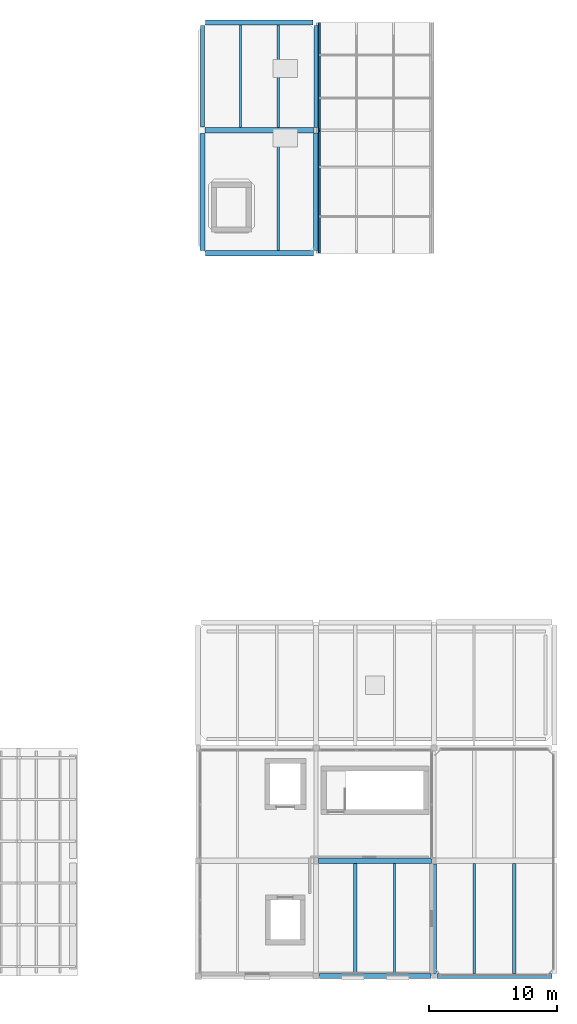
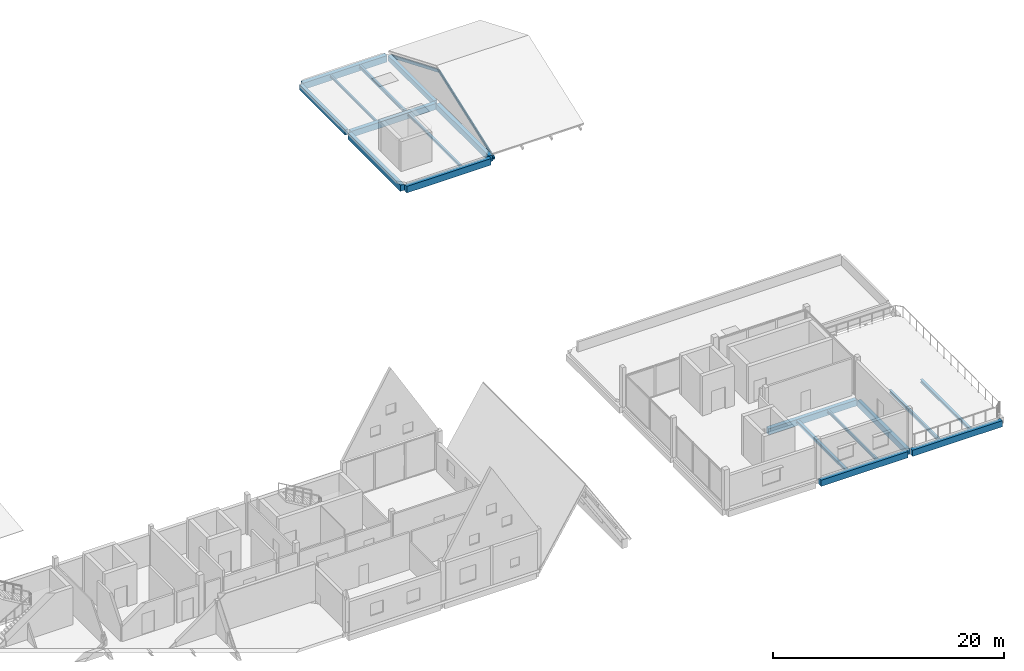
# One storey, part 9 of 23: 18 beams, 2 members.
"""IFC4 building model written with IfcOpenShell, lengths in metres."""

from ifc_helpers import new_model, si_unit, direction, frame, origin, origin_2d, place, context, subcontext, project, spatial, rectangle, i_section, extrude, material, material_profile, profile_set, type_object, element, save


model = new_model("IFC4")

# Units and contexts
model_context = context("Model", 3, precision=1e-05, world=origin(), true_north=direction((0.0, 1.0)))
body_context = subcontext(model_context, "Body", "Model", "MODEL_VIEW")
ifc_project = project(units=[si_unit("LENGTHUNIT", "METRE"), si_unit("AREAUNIT", "SQUARE_METRE"), si_unit("VOLUMEUNIT", "CUBIC_METRE"), si_unit("PLANEANGLEUNIT", "RADIAN"), si_unit("MASSUNIT", "GRAM", prefix="KILO")], contexts=[model_context])

# Site, building, storey
site_placement = place(None, origin())
site = spatial("IfcSite", under=ifc_project, at=site_placement, CompositionType="ELEMENT")
building_placement = place(site_placement, origin())
building = spatial("IfcBuilding", under=site, at=building_placement, Name="Birchvale Park Specialist Clinic", CompositionType="ELEMENT")
storey_placement = place(building_placement, frame((0.0, 0.0, 18.0)))
storey = spatial("IfcBuildingStorey", under=building, at=storey_placement, Name="L04", CompositionType="ELEMENT", Elevation=18.0)

# Beams
ifc_material_1 = material(Name="Concrete C40/50", Category="concrete")
ifc_material_profile_1 = material_profile(ifc_material_1, rectangle(XDim=0.39990234375, YDim=0.68994140625, at=origin_2d()), Name="RCB-400x690")
ifc_profile_set_1 = profile_set([ifc_material_profile_1], Name="Concrete C40/50")
beam_type_1 = type_object("IfcBeamType", Name="BM-EXT-BG4", PredefinedType="BEAM", material=ifc_profile_set_1)
beam_1_placement = place(storey_placement, frame((128.56494140625, 73.199951171875, -0.6201171875), z_axis=(1.0, 0.0, 0.0), x_axis=(0.0, 1.0, 0.0)))
element("IfcBeam", 1, at=beam_1_placement, inside=storey, type_object=beam_type_1, Name="V6 L04 X girder 1", PredefinedType="BEAM", context=body_context, shape_type="SweptSolid", body=[
    extrude(rectangle(XDim=0.39990234375, YDim=0.68994140625, at=origin_2d()), origin(), (0.0, 0.0, 1.0), 8.43505859375),
])
beam_2_placement = place(storey_placement, frame((128.590087890625, 91.199951171875, -0.6201171875), z_axis=(1.0, 0.0, 0.0), x_axis=(0.0, 1.0, 0.0)))
element("IfcBeam", 2, at=beam_2_placement, inside=storey, type_object=beam_type_1, Name="V6 L04 X girder 3", PredefinedType="BEAM", context=body_context, shape_type="SweptSolid", body=[
    extrude(rectangle(XDim=0.39990234375, YDim=0.68994140625, at=origin_2d()), origin(), (0.0, 0.0, 1.0), 8.385009765625),
])
ifc_material_profile_2 = material_profile(ifc_material_1, rectangle(XDim=0.3798828125, YDim=0.639892578125, at=origin_2d()), Name="RCB-380x640")
ifc_profile_set_2 = profile_set([ifc_material_profile_2], Name="Concrete C40/50")
beam_type_2 = type_object("IfcBeamType", Name="BM-EXT-BG5", PredefinedType="BEAM", material=ifc_profile_set_2)
beam_3_placement = place(storey_placement, frame((146.39990234375, 17.02490234375, -0.6298828125), z_axis=(0.0, 1.0, 0.0), x_axis=(-1.0, 0.0, 0.0)))
element("IfcBeam", 3, at=beam_3_placement, inside=storey, type_object=beam_type_2, Name="V5 L04 Y girder 19", PredefinedType="BEAM", context=body_context, shape_type="SweptSolid", body=[
    extrude(rectangle(XDim=0.3798828125, YDim=0.639892578125, at=origin_2d()), origin(), (0.0, 0.0, 1.0), 8.525146484375),
])
beam_4_placement = place(storey_placement, frame((128.35009765625, 73.4150390625, -0.594970703125), z_axis=(0.0, 1.0, 0.0), x_axis=(-1.0, 0.0, 0.0)))
element("IfcBeam", 4, at=beam_4_placement, inside=storey, type_object=beam_type_2, Name="V6 L04 Y girder 4", PredefinedType="BEAM", context=body_context, shape_type="SweptSolid", body=[
    extrude(rectangle(XDim=0.3798828125, YDim=0.639892578125, at=origin_2d()), origin(), (0.0, 0.0, 1.0), 9.125),
])
beam_5_placement = place(storey_placement, frame((137.199951171875, 73.39990234375, -0.594970703125), z_axis=(0.0, 1.0, 0.0), x_axis=(-1.0, 0.0, 0.0)))
element("IfcBeam", 5, at=beam_5_placement, inside=storey, type_object=beam_type_2, Name="V6 L04 Y girder 6", PredefinedType="BEAM", context=body_context, shape_type="SweptSolid", body=[
    extrude(rectangle(XDim=0.3798828125, YDim=0.639892578125, at=origin_2d()), origin(), (0.0, 0.0, 1.0), 9.175048828125),
])
ifc_material_profile_3 = material_profile(ifc_material_1, rectangle(XDim=0.320068359375, YDim=0.5400390625, at=origin_2d()), Name="RCB-320x540")
ifc_profile_set_3 = profile_set([ifc_material_profile_3], Name="Concrete C40/50")
beam_type_3 = type_object("IfcBeamType", Name="BM-EXT-BG7", PredefinedType="BEAM", material=ifc_profile_set_3)
beam_6_placement = place(storey_placement, frame((128.35009765625, 83.06005859375, -0.544921875), z_axis=(0.0, 1.0, 0.0), x_axis=(-1.0, 0.0, 0.0)))
element("IfcBeam", 6, at=beam_6_placement, inside=storey, type_object=beam_type_3, Name="V6 L04 Y girder 5", PredefinedType="BEAM", context=body_context, shape_type="SweptSolid", body=[
    extrude(rectangle(XDim=0.320068359375, YDim=0.5400390625, at=origin_2d()), origin(), (0.0, 0.0, 1.0), 7.89990234375),
])
beam_7_placement = place(storey_placement, frame((137.199951171875, 83.02490234375, -0.544921875), z_axis=(0.0, 1.0, 0.0), x_axis=(-1.0, 0.0, 0.0)))
element("IfcBeam", 7, at=beam_7_placement, inside=storey, type_object=beam_type_3, Name="V6 L04 Y girder 7", PredefinedType="BEAM", context=body_context, shape_type="SweptSolid", body=[
    extrude(rectangle(XDim=0.320068359375, YDim=0.5400390625, at=origin_2d()), origin(), (0.0, 0.0, 1.0), 7.9501953125),
])
ifc_material_profile_4 = material_profile(ifc_material_1, rectangle(XDim=0.39990234375, YDim=0.64990234375, at=origin_2d()), Name="RCB-400x650")
ifc_profile_set_4 = profile_set([ifc_material_profile_4], Name="Concrete C40/50")
beam_type_4 = type_object("IfcBeamType", Name="BM-INT-BG4", PredefinedType="BEAM", material=ifc_profile_set_4)
beam_8_placement = place(storey_placement, frame((137.449951171875, 16.800048828125, -0.60498046875), z_axis=(1.0, 0.0, 0.0), x_axis=(0.0, 1.0, 0.0)))
element("IfcBeam", 8, at=beam_8_placement, inside=storey, type_object=beam_type_4, Name="V5 L04 X girder 2", PredefinedType="BEAM", context=body_context, shape_type="SweptSolid", body=[
    extrude(rectangle(XDim=0.39990234375, YDim=0.64990234375, at=origin_2d()), origin(), (0.0, 0.0, 1.0), 8.72509765625),
])
beam_9_placement = place(storey_placement, frame((146.625, 16.800048828125, -0.635009765625), z_axis=(1.0, 0.0, 0.0), x_axis=(0.0, 1.0, 0.0)))
element("IfcBeam", 9, at=beam_9_placement, inside=storey, type_object=beam_type_4, Name="V5 L04 X girder 3", PredefinedType="BEAM", context=body_context, shape_type="SweptSolid", body=[
    extrude(rectangle(XDim=0.39990234375, YDim=0.64990234375, at=origin_2d()), origin(), (0.0, 0.0, 1.0), 8.97509765625),
])
beam_10_placement = place(storey_placement, frame((137.39990234375, 25.800048828125, -0.60498046875), z_axis=(1.0, 0.0, 0.0), x_axis=(0.0, 1.0, 0.0)))
element("IfcBeam", 10, at=beam_10_placement, inside=storey, type_object=beam_type_4, Name="V5 L04 X girder 5", PredefinedType="BEAM", context=body_context, shape_type="SweptSolid", body=[
    extrude(rectangle(XDim=0.39990234375, YDim=0.64990234375, at=origin_2d()), origin(), (0.0, 0.0, 1.0), 8.8251953125),
])
beam_11_placement = place(storey_placement, frame((128.534912109375, 82.800048828125, -0.60009765625), z_axis=(1.0, 0.0, 0.0), x_axis=(0.0, 1.0, 0.0)))
element("IfcBeam", 11, at=beam_11_placement, inside=storey, type_object=beam_type_4, Name="V6 L04 X girder 2", PredefinedType="BEAM", context=body_context, shape_type="SweptSolid", body=[
    extrude(rectangle(XDim=0.39990234375, YDim=0.64990234375, at=origin_2d()), origin(), (0.0, 0.0, 1.0), 8.489990234375),
])

# Members
ifc_material_2 = material(Name="Glulam GL28h", Category="wood")
ifc_material_profile_5 = material_profile(ifc_material_2, rectangle(XDim=0.139892578125, YDim=0.280029296875, at=origin_2d()), Name="GL-140x280")
ifc_profile_set_5 = profile_set([ifc_material_profile_5], Name="Glulam GL28h")
member_type = type_object("IfcMemberType", Name="MEM-GR3", PredefinedType="RAFTER", material=ifc_profile_set_5)
member_1_placement = place(storey_placement, frame((137.449951171875, 73.25, -0.572509765625), z_axis=(0.0, 0.939504766761, 0.342535827663), x_axis=(-1.0, 0.0, 0.0)))
element("IfcMember", 12, at=member_1_placement, inside=storey, type_object=member_type, Name="L04 glulam roof rafter V6-L04-NL1 S.1", PredefinedType="RAFTER", context=body_context, shape_type="SweptSolid", body=[
    extrude(rectangle(XDim=0.139892578125, YDim=0.280029296875, at=origin_2d()), origin(), (0.0, 0.0, 1.0), 10.11181640625),
])
member_2_placement = place(storey_placement, frame((137.449951171875, 82.85009765625, 2.8779296875), z_axis=(0.0, 0.923076923077, -0.384615384615), x_axis=(-1.0, 0.0, 0.0)))
element("IfcMember", 13, at=member_2_placement, inside=storey, type_object=member_type, Name="L04 glulam roof rafter V6-L04-NL1 N.1", PredefinedType="RAFTER", context=body_context, shape_type="SweptSolid", body=[
    extrude(rectangle(XDim=0.139892578125, YDim=0.280029296875, at=origin_2d()), origin(), (0.0, 0.0, 1.0), 8.991455078125),
])

# Beams
ifc_material_3 = material(Name="Steel ASTM A992 Grade 50", Category="steel")
ifc_material_profile_6 = material_profile(ifc_material_3, i_section(OverallWidth=0.2041015625, OverallDepth=0.35107421875, WebThickness=0.008544921875, FlangeThickness=0.01513671875, at=origin_2d()), Name="W14X48")
ifc_profile_set_6 = profile_set([ifc_material_profile_6], Name="Steel ASTM A992 Grade 50")
beam_type_5 = type_object("IfcBeamType", Name="STL-INT-SJ1", PredefinedType="JOIST", material=ifc_profile_set_6)
beam_12_placement = place(storey_placement, frame((149.533203125, 17.0, -0.485595703125), z_axis=(0.0, 1.0, 0.0), x_axis=(-1.0, 0.0, 0.0)))
element("IfcBeam", 14, at=beam_12_placement, inside=storey, type_object=beam_type_5, Name="V5 L04 secondary floor joist 9", PredefinedType="JOIST", context=body_context, shape_type="SweptSolid", body=[
    extrude(i_section(OverallWidth=0.2041015625, OverallDepth=0.35107421875, WebThickness=0.008544921875, FlangeThickness=0.01513671875, at=origin_2d()), origin(), (0.0, 0.0, 1.0), 8.590087890625),
])
beam_13_placement = place(storey_placement, frame((134.25, 83.0, -0.450439453125), z_axis=(0.0, 1.0, 0.0), x_axis=(-1.0, 0.0, 0.0)))
element("IfcBeam", 15, at=beam_13_placement, inside=storey, type_object=beam_type_5, Name="V6 L04 secondary floor joist 3", PredefinedType="JOIST", context=body_context, shape_type="SweptSolid", body=[
    extrude(i_section(OverallWidth=0.2041015625, OverallDepth=0.35107421875, WebThickness=0.008544921875, FlangeThickness=0.01513671875, at=origin_2d()), origin(), (0.0, 0.0, 1.0), 8.0),
])
ifc_material_profile_7 = material_profile(ifc_material_3, i_section(OverallWidth=0.25390625, OverallDepth=0.305908203125, WebThickness=0.0087890625, FlangeThickness=0.0146484375, at=origin_2d()), Name="W12X53")
ifc_profile_set_7 = profile_set([ifc_material_profile_7], Name="Steel ASTM A992 Grade 50")
beam_type_6 = type_object("IfcBeamType", Name="STL-INT-SJ2", PredefinedType="JOIST", material=ifc_profile_set_7)
beam_14_placement = place(storey_placement, frame((140.2666015625, 17.0, -0.43310546875), z_axis=(0.0, 1.0, 0.0), x_axis=(-1.0, 0.0, 0.0)))
element("IfcBeam", 16, at=beam_14_placement, inside=storey, type_object=beam_type_6, Name="V5 L04 secondary floor joist 5", PredefinedType="JOIST", context=body_context, shape_type="SweptSolid", body=[
    extrude(i_section(OverallWidth=0.25390625, OverallDepth=0.305908203125, WebThickness=0.0087890625, FlangeThickness=0.0146484375, at=origin_2d()), origin(), (0.0, 0.0, 1.0), 8.60009765625),
])
beam_15_placement = place(storey_placement, frame((152.666748046875, 17.0, -0.462890625), z_axis=(0.0, 1.0, 0.0), x_axis=(-1.0, 0.0, 0.0)))
element("IfcBeam", 17, at=beam_15_placement, inside=storey, type_object=beam_type_6, Name="V5 L04 secondary floor joist 10", PredefinedType="JOIST", context=body_context, shape_type="SweptSolid", body=[
    extrude(i_section(OverallWidth=0.25390625, OverallDepth=0.305908203125, WebThickness=0.0087890625, FlangeThickness=0.0146484375, at=origin_2d()), origin(), (0.0, 0.0, 1.0), 8.590087890625),
])
ifc_material_profile_8 = material_profile(ifc_material_3, i_section(OverallWidth=0.1669921875, OverallDepth=0.31689453125, WebThickness=0.007568359375, FlangeThickness=0.01318359375, at=origin_2d()), Name="W12X35")
ifc_profile_set_8 = profile_set([ifc_material_profile_8], Name="Steel ASTM A992 Grade 50")
beam_type_7 = type_object("IfcBeamType", Name="STL-INT-SJ3", PredefinedType="JOIST", material=ifc_profile_set_8)
beam_16_placement = place(storey_placement, frame((143.333251953125, 17.0, -0.4384765625), z_axis=(0.0, 1.0, 0.0), x_axis=(-1.0, 0.0, 0.0)))
element("IfcBeam", 18, at=beam_16_placement, inside=storey, type_object=beam_type_7, Name="V5 L04 secondary floor joist 6", PredefinedType="JOIST", context=body_context, shape_type="SweptSolid", body=[
    extrude(i_section(OverallWidth=0.1669921875, OverallDepth=0.31689453125, WebThickness=0.007568359375, FlangeThickness=0.01318359375, at=origin_2d()), origin(), (0.0, 0.0, 1.0), 8.60009765625),
])
ifc_material_profile_9 = material_profile(ifc_material_3, i_section(OverallWidth=0.202880859375, OverallDepth=0.251953125, WebThickness=0.008056640625, FlangeThickness=0.013427734375, at=origin_2d()), Name="W10X39")
ifc_profile_set_9 = profile_set([ifc_material_profile_9], Name="Steel ASTM A992 Grade 50")
beam_type_8 = type_object("IfcBeamType", Name="STL-INT-SJ4", PredefinedType="JOIST", material=ifc_profile_set_9)
beam_17_placement = place(storey_placement, frame((134.25, 73.39990234375, -0.40087890625), z_axis=(0.0, 1.0, 0.0), x_axis=(-1.0, 0.0, 0.0)))
element("IfcBeam", 19, at=beam_17_placement, inside=storey, type_object=beam_type_8, Name="V6 L04 secondary floor joist 1", PredefinedType="JOIST", context=body_context, shape_type="SweptSolid", body=[
    extrude(i_section(OverallWidth=0.202880859375, OverallDepth=0.251953125, WebThickness=0.008056640625, FlangeThickness=0.013427734375, at=origin_2d()), origin(), (0.0, 0.0, 1.0), 9.2001953125),
])
ifc_material_profile_10 = material_profile(ifc_material_3, i_section(OverallWidth=0.14697265625, OverallDepth=0.261962890625, WebThickness=0.006591796875, FlangeThickness=0.01123046875, at=origin_2d()), Name="W10X26")
ifc_profile_set_10 = profile_set([ifc_material_profile_10], Name="Steel ASTM A992 Grade 50")
beam_type_9 = type_object("IfcBeamType", Name="STL-INT-SJ5", PredefinedType="JOIST", material=ifc_profile_set_10)
beam_18_placement = place(storey_placement, frame((131.300048828125, 83.0, -0.406005859375), z_axis=(0.0, 1.0, 0.0), x_axis=(-1.0, 0.0, 0.0)))
element("IfcBeam", 20, at=beam_18_placement, inside=storey, type_object=beam_type_9, Name="V6 L04 secondary floor joist 2", PredefinedType="JOIST", context=body_context, shape_type="SweptSolid", body=[
    extrude(i_section(OverallWidth=0.14697265625, OverallDepth=0.261962890625, WebThickness=0.006591796875, FlangeThickness=0.01123046875, at=origin_2d()), origin(), (0.0, 0.0, 1.0), 8.0),
])

save(model, "model.ifc")
